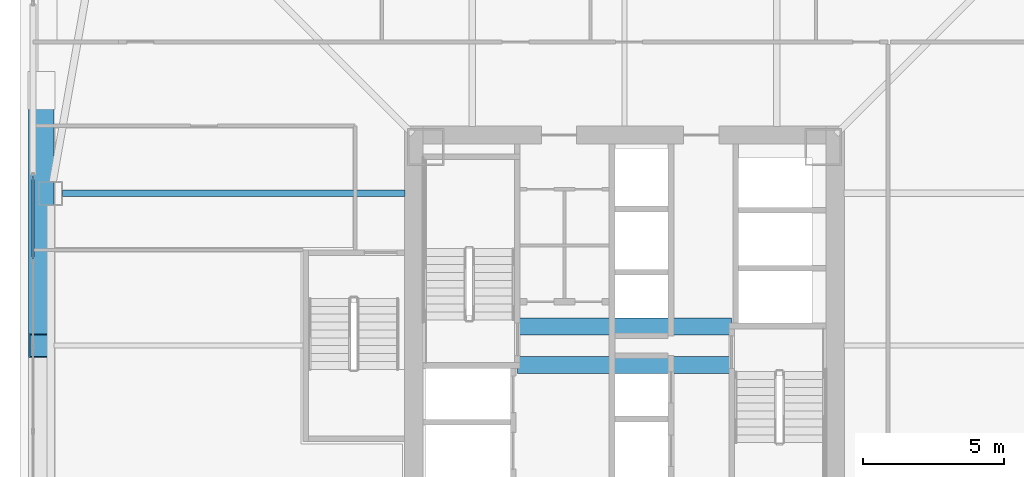
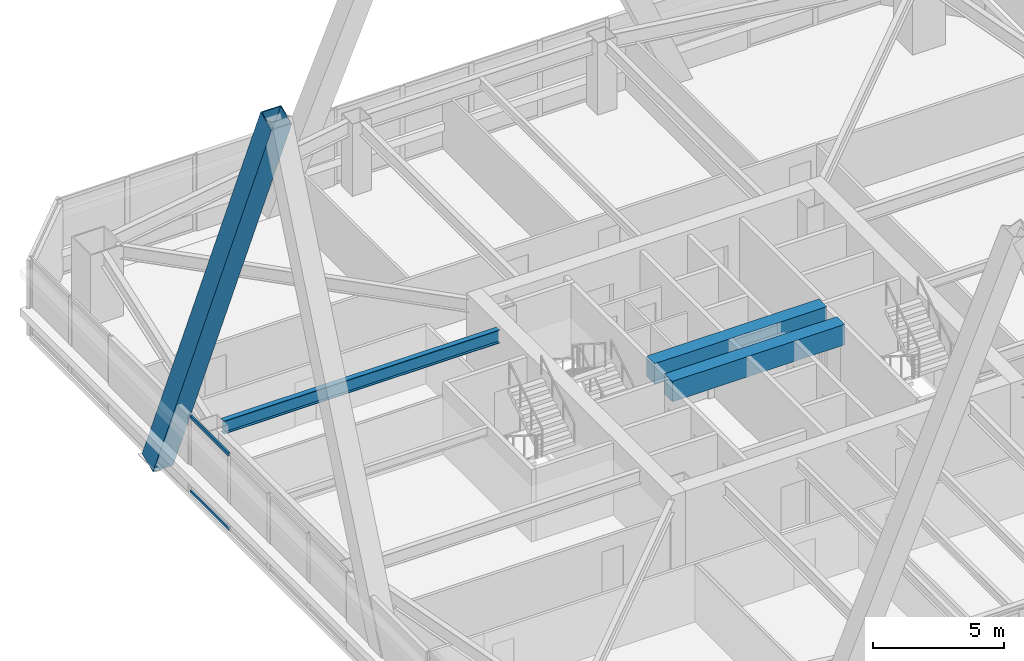
# One storey, part 11 of 54: 3 beams, 3 members, 1 element without a shape of its own.
"""IFC4 building model written with IfcOpenShell, lengths in metres."""

from ifc_helpers import new_model, si_unit, direction, frame, origin, origin_2d, place, context, subcontext, project, spatial, rectangle, hollow_rectangle, i_section, extrude, material, material_profile, profile_set, type_object, element, aggregate, save


model = new_model("IFC4")

# Units and contexts
model_context = context("Model", 3, precision=1e-05, world=origin(), true_north=direction((0.0, 1.0)))
body_context = subcontext(model_context, "Body", "Model", "MODEL_VIEW")
ifc_project = project(units=[si_unit("LENGTHUNIT", "METRE"), si_unit("AREAUNIT", "SQUARE_METRE"), si_unit("VOLUMEUNIT", "CUBIC_METRE"), si_unit("PLANEANGLEUNIT", "RADIAN"), si_unit("MASSUNIT", "GRAM", prefix="KILO")], contexts=[model_context])

# Site, building, storey
site_placement = place(None, origin())
site = spatial("IfcSite", under=ifc_project, at=site_placement, CompositionType="ELEMENT")
building_placement = place(site_placement, origin())
building = spatial("IfcBuilding", under=site, at=building_placement, Name="Tashvorn Skyway Center", CompositionType="ELEMENT")
storey_placement = place(building_placement, frame((0.0, 0.0, 88.5)))
storey = spatial("IfcBuildingStorey", under=building, at=storey_placement, Name="L23", CompositionType="ELEMENT", Elevation=88.5)

# Beams
ifc_material_1 = material(Name="Steel ASTM A992 Grade 50", Category="steel")
ifc_material_profile_1 = material_profile(ifc_material_1, i_section(OverallWidth=0.22998046875, OverallDepth=0.616943359375, WebThickness=0.01318359375, FlangeThickness=0.022216796875, at=origin_2d()), Name="W24X94")
ifc_profile_set_1 = profile_set([ifc_material_profile_1], Name="Steel ASTM A992 Grade 50")
beam_type_1 = type_object("IfcBeamType", Name="BM-BEAM-W24X94", PredefinedType="BEAM", material=ifc_profile_set_1)
beam_placement = place(storey_placement, frame((22.070068359375, 37.39990234375, 3.04150390625), z_axis=(1.0, 0.0, 0.0), x_axis=(0.0, 1.0, 0.0)))
element("IfcBeam", 1, at=beam_placement, inside=storey, type_object=beam_type_1, Name="Tower 1 L23 Primary Floor Girder FC-W1", PredefinedType="BEAM", context=body_context, shape_type="SweptSolid", body=[
    extrude(i_section(OverallWidth=0.22998046875, OverallDepth=0.616943359375, WebThickness=0.01318359375, FlangeThickness=0.022216796875, at=origin_2d()), origin(), (0.0, 0.0, 1.0), 12.14990234375),
])
ifc_material_2 = material(Name="Concrete C60/75", Category="concrete")
ifc_material_profile_2 = material_profile(ifc_material_2, rectangle(XDim=0.60009765625, YDim=0.949951171875, at=origin_2d()), Name="RCB600x950")
ifc_profile_set_2 = profile_set([ifc_material_profile_2], Name="Concrete C60/75")
beam_type_2 = type_object("IfcBeamType", Name="BM-LINTEL-RCB600x950", PredefinedType="LINTEL", material=ifc_profile_set_2)
for number, where, z_axis, x_axis, name in (
    (2, (38.199951171875, 32.679931640625, 2.875), (1.0, 0.0, 0.0), (0.0, 1.0, 0.0), "Tower 1 L23 Core Coupling Beam CN"),
    (3, (38.199951171875, 31.320068359375, 2.875), (1.0, 0.0, 0.0), (0.0, 1.0, 0.0), "Tower 1 L23 Core Coupling Beam CS"),
):
    element("IfcBeam", number, at=place(storey_placement, frame(where, z_axis=z_axis, x_axis=x_axis)), inside=storey, type_object=beam_type_2, Name=name, PredefinedType="LINTEL", context=body_context, shape_type="SweptSolid", body=[
        extrude(rectangle(XDim=0.60009765625, YDim=0.949951171875, at=origin_2d()), origin(), (0.0, 0.0, 1.0), 7.60009765625),
    ])

# Curtain wall, members
ifc_material_3 = material(Name="Thermally broken bronze-anodized aluminium 6063-T6", Category="aluminium")
curtain_wall_type = type_object("IfcCurtainWallType", Name="CW-CW-Z2", PredefinedType="NOTDEFINED", material=ifc_material_3)
curtain_wall_placement = place(storey_placement, origin())
curtain_wall = element("IfcCurtainWall", 4, at=curtain_wall_placement, inside=storey, type_object=curtain_wall_type, Name="Tower 1 L23 West Unitised Curtain Wall Glazing Group 2", PredefinedType="NOTDEFINED")
ifc_material_profile_3 = material_profile(ifc_material_3, hollow_rectangle(XDim=0.080078125, YDim=0.14990234375, WallThickness=0.00439453125, at=origin_2d()), Name="ALU-TRAN-80x150")
ifc_profile_set_3 = profile_set([ifc_material_profile_3], Name="Thermally broken bronze-anodized aluminium 6063-T6")
member_type_1 = type_object("IfcMemberType", Name="CWT-CW-Z2", PredefinedType="USERDEFINED", material=ifc_profile_set_3)
member_1_placement = place(storey_placement, frame((21.02001953125, 35.070068359375, 0.0400390625), z_axis=(0.0, 1.0, 0.0), x_axis=(-1.0, 0.0, 0.0)))
member_1 = element("IfcMember", 5, at=member_1_placement, type_object=member_type_1, Name="CW-Z2 transom 4.1", ObjectType="TRANSOM", PredefinedType="USERDEFINED", context=body_context, shape_type="SweptSolid", body=[
    extrude(hollow_rectangle(XDim=0.080078125, YDim=0.14990234375, WallThickness=0.00439453125, at=origin_2d()), origin(), (0.0, 0.0, 1.0), 2.909912109375),
])
member_2_placement = place(storey_placement, frame((21.02001953125, 35.070068359375, 3.510009765625), z_axis=(0.0, 1.0, 0.0), x_axis=(-1.0, 0.0, 0.0)))
member_2 = element("IfcMember", 6, at=member_2_placement, type_object=member_type_1, Name="CW-Z2 transom 4.2", ObjectType="TRANSOM", PredefinedType="USERDEFINED", context=body_context, shape_type="SweptSolid", body=[
    extrude(hollow_rectangle(XDim=0.080078125, YDim=0.14990234375, WallThickness=0.00439453125, at=origin_2d()), origin(), (0.0, 0.0, 1.0), 2.909912109375),
])
aggregate(curtain_wall, [member_1, member_2])

# Member
ifc_material_4 = material(Name="Steel ASTM A572 Grade 50", Category="steel")
ifc_material_profile_4 = material_profile(ifc_material_4, hollow_rectangle(XDim=0.89990234375, YDim=0.89990234375, WallThickness=0.0400390625, at=origin_2d()), Name="BOX900x900x40")
ifc_profile_set_4 = profile_set([ifc_material_profile_4], Name="Steel ASTM A572 Grade 50")
member_type_2 = type_object("IfcMemberType", Name="MEM-MB-900", PredefinedType="BRACE", material=ifc_profile_set_4)
member_3_placement = place(storey_placement, frame((21.320068359375, 41.050048828125, -0.449951171875), z_axis=(0.0, -0.389502874724, 0.921025249698), x_axis=(1.0, 0.0, 0.0)))
element("IfcMember", 7, at=member_3_placement, inside=storey, type_object=member_type_2, Name="Tower 1 Zone 2 W Chevron Mega-Brace L2", PredefinedType="BRACE", context=body_context, shape_type="SweptSolid", body=[
    extrude(hollow_rectangle(XDim=0.89990234375, YDim=0.89990234375, WallThickness=0.0400390625, at=origin_2d()), origin(), (0.0, 0.0, 1.0), 23.23486328125),
])

save(model, "model.ifc")
